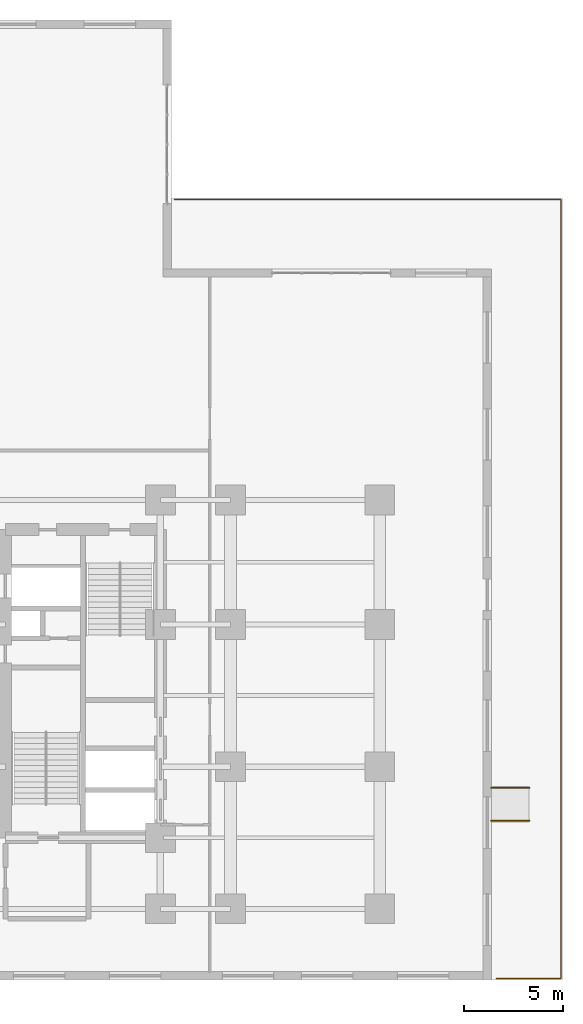
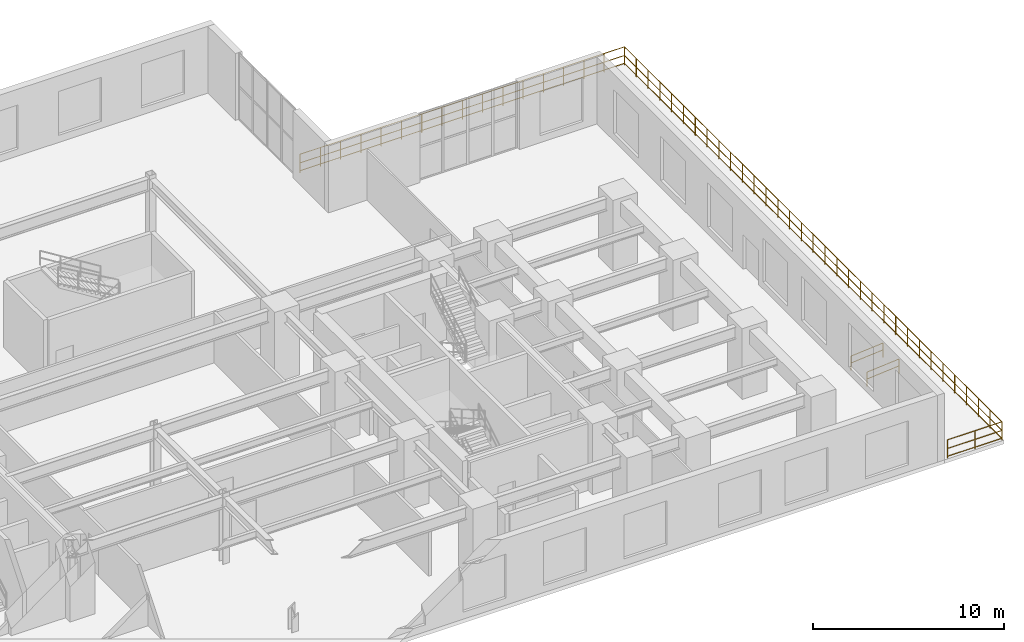
# One storey, part 15 of 15: 5 railings.
"""IFC4 building model written with IfcOpenShell, lengths in metres."""

from ifc_helpers import new_model, entity, si_unit, converted_unit, direction, frame, origin_with_axes, origin_2d_with_axis, place, context, subcontext, project, spatial, rectangle, circle, extrude, material, type_object, element, save


model = new_model("IFC4")

# Units and contexts
model_context = context("Model", 3, precision=1e-05, world=origin_with_axes(), true_north=direction((0.0, 1.0)))
body_context = subcontext(model_context, "Body", "Model", "MODEL_VIEW")
ifc_project = project(units=[si_unit("LENGTHUNIT", "METRE"), si_unit("AREAUNIT", "SQUARE_METRE"), si_unit("VOLUMEUNIT", "CUBIC_METRE"), converted_unit("PLANEANGLEUNIT", "DEGREE", entity("IfcPlaneAngleMeasure", 0.017453292519943295), si_unit("PLANEANGLEUNIT", "RADIAN"), dimensions=[0, 0, 0, 0, 0, 0, 0]), si_unit("MASSUNIT", "GRAM", prefix="KILO"), si_unit("THERMODYNAMICTEMPERATUREUNIT", "KELVIN")], contexts=[model_context])

# Site, building, storey
site_placement = place(None, origin_with_axes())
site = spatial("IfcSite", under=ifc_project, at=site_placement, CompositionType="ELEMENT")
building_placement = place(site_placement, origin_with_axes())
building = spatial("IfcBuilding", under=site, at=building_placement, Name="Varnlund Millrace Tower", CompositionType="ELEMENT")
storey_placement = place(building_placement, frame((0.0, 0.0, 19.8), z_axis=(0.0, 0.0, 1.0), x_axis=(1.0, 0.0, 0.0)))
storey = spatial("IfcBuildingStorey", under=building, at=storey_placement, Name="L04", CompositionType="ELEMENT", Elevation=19.8)

# Railings
ifc_material_1 = material(Name="Architectural bronze balustrade guard", Category="aluminium")
railing_type_1 = type_object("IfcRailingType", Name="Type-Guard-Perimeter-1150", PredefinedType="BALUSTRADE", material=ifc_material_1)
railing_1_placement = place(storey_placement, frame((0.0, 0.0, -19.8), z_axis=(0.0, 0.0, 1.0), x_axis=(1.0, 0.0, 0.0)))
element("IfcRailing", 1, at=railing_1_placement, inside=storey, type_object=railing_type_1, Name="Type-Guard-Perimeter-1150", PredefinedType="BALUSTRADE", context=body_context, shape_type="SweptSolid", body=[
    extrude(circle(Radius=0.024, at=origin_2d_with_axis()), frame((68.32, 0.08, 20.95), z_axis=(0.0, 1.0, 0.0), x_axis=(-1.0, 0.0, 0.0)), (0.0, 0.0, 1.0), 39.44),
    extrude(circle(Radius=0.024, at=origin_2d_with_axis()), frame((68.32, 0.08, 19.9), z_axis=(0.0, 1.0, 0.0), x_axis=(-1.0, 0.0, 0.0)), (0.0, 0.0, 1.0), 39.44),
    extrude(circle(Radius=0.024, at=origin_2d_with_axis()), frame((68.32, 0.08, 20.398), z_axis=(0.0, 1.0, 0.0), x_axis=(-1.0, 0.0, 0.0)), (0.0, 0.0, 1.0), 39.44),
    extrude(rectangle(XDim=0.04, YDim=0.04, at=origin_2d_with_axis()), frame((68.32, 0.08, 19.76), z_axis=(0.0, 0.0, 1.0), x_axis=(1.0, 0.0, 0.0)), (0.0, 0.0, 1.0), 1.19),
    extrude(rectangle(XDim=0.04, YDim=0.04, at=origin_2d_with_axis()), frame((68.32, 1.3125, 19.76), z_axis=(0.0, 0.0, 1.0), x_axis=(1.0, 0.0, 0.0)), (0.0, 0.0, 1.0), 1.19),
    extrude(rectangle(XDim=0.04, YDim=0.04, at=origin_2d_with_axis()), frame((68.32, 2.545, 19.76), z_axis=(0.0, 0.0, 1.0), x_axis=(1.0, 0.0, 0.0)), (0.0, 0.0, 1.0), 1.19),
    extrude(rectangle(XDim=0.04, YDim=0.04, at=origin_2d_with_axis()), frame((68.32, 3.7775, 19.76), z_axis=(0.0, 0.0, 1.0), x_axis=(1.0, 0.0, 0.0)), (0.0, 0.0, 1.0), 1.19),
    extrude(rectangle(XDim=0.04, YDim=0.04, at=origin_2d_with_axis()), frame((68.32, 5.01, 19.76), z_axis=(0.0, 0.0, 1.0), x_axis=(1.0, 0.0, 0.0)), (0.0, 0.0, 1.0), 1.19),
    extrude(rectangle(XDim=0.04, YDim=0.04, at=origin_2d_with_axis()), frame((68.32, 6.2425, 19.76), z_axis=(0.0, 0.0, 1.0), x_axis=(1.0, 0.0, 0.0)), (0.0, 0.0, 1.0), 1.19),
    extrude(rectangle(XDim=0.04, YDim=0.04, at=origin_2d_with_axis()), frame((68.32, 7.475, 19.76), z_axis=(0.0, 0.0, 1.0), x_axis=(1.0, 0.0, 0.0)), (0.0, 0.0, 1.0), 1.19),
    extrude(rectangle(XDim=0.04, YDim=0.04, at=origin_2d_with_axis()), frame((68.32, 8.7075, 19.76), z_axis=(0.0, 0.0, 1.0), x_axis=(1.0, 0.0, 0.0)), (0.0, 0.0, 1.0), 1.19),
    extrude(rectangle(XDim=0.04, YDim=0.04, at=origin_2d_with_axis()), frame((68.32, 9.94, 19.76), z_axis=(0.0, 0.0, 1.0), x_axis=(1.0, 0.0, 0.0)), (0.0, 0.0, 1.0), 1.19),
    extrude(rectangle(XDim=0.04, YDim=0.04, at=origin_2d_with_axis()), frame((68.32, 11.1725, 19.76), z_axis=(0.0, 0.0, 1.0), x_axis=(1.0, 0.0, 0.0)), (0.0, 0.0, 1.0), 1.19),
    extrude(rectangle(XDim=0.04, YDim=0.04, at=origin_2d_with_axis()), frame((68.32, 12.405, 19.76), z_axis=(0.0, 0.0, 1.0), x_axis=(1.0, 0.0, 0.0)), (0.0, 0.0, 1.0), 1.19),
    extrude(rectangle(XDim=0.04, YDim=0.04, at=origin_2d_with_axis()), frame((68.32, 13.6375, 19.76), z_axis=(0.0, 0.0, 1.0), x_axis=(1.0, 0.0, 0.0)), (0.0, 0.0, 1.0), 1.19),
    extrude(rectangle(XDim=0.04, YDim=0.04, at=origin_2d_with_axis()), frame((68.32, 14.87, 19.76), z_axis=(0.0, 0.0, 1.0), x_axis=(1.0, 0.0, 0.0)), (0.0, 0.0, 1.0), 1.19),
    extrude(rectangle(XDim=0.04, YDim=0.04, at=origin_2d_with_axis()), frame((68.32, 16.1025, 19.76), z_axis=(0.0, 0.0, 1.0), x_axis=(1.0, 0.0, 0.0)), (0.0, 0.0, 1.0), 1.19),
    extrude(rectangle(XDim=0.04, YDim=0.04, at=origin_2d_with_axis()), frame((68.32, 17.335, 19.76), z_axis=(0.0, 0.0, 1.0), x_axis=(1.0, 0.0, 0.0)), (0.0, 0.0, 1.0), 1.19),
    extrude(rectangle(XDim=0.04, YDim=0.04, at=origin_2d_with_axis()), frame((68.32, 18.5675, 19.76), z_axis=(0.0, 0.0, 1.0), x_axis=(1.0, 0.0, 0.0)), (0.0, 0.0, 1.0), 1.19),
    extrude(rectangle(XDim=0.04, YDim=0.04, at=origin_2d_with_axis()), frame((68.32, 19.8, 19.76), z_axis=(0.0, 0.0, 1.0), x_axis=(1.0, 0.0, 0.0)), (0.0, 0.0, 1.0), 1.19),
    extrude(rectangle(XDim=0.04, YDim=0.04, at=origin_2d_with_axis()), frame((68.32, 21.0325, 19.76), z_axis=(0.0, 0.0, 1.0), x_axis=(1.0, 0.0, 0.0)), (0.0, 0.0, 1.0), 1.19),
    extrude(rectangle(XDim=0.04, YDim=0.04, at=origin_2d_with_axis()), frame((68.32, 22.265, 19.76), z_axis=(0.0, 0.0, 1.0), x_axis=(1.0, 0.0, 0.0)), (0.0, 0.0, 1.0), 1.19),
    extrude(rectangle(XDim=0.04, YDim=0.04, at=origin_2d_with_axis()), frame((68.32, 23.4975, 19.76), z_axis=(0.0, 0.0, 1.0), x_axis=(1.0, 0.0, 0.0)), (0.0, 0.0, 1.0), 1.19),
    extrude(rectangle(XDim=0.04, YDim=0.04, at=origin_2d_with_axis()), frame((68.32, 24.73, 19.76), z_axis=(0.0, 0.0, 1.0), x_axis=(1.0, 0.0, 0.0)), (0.0, 0.0, 1.0), 1.19),
    extrude(rectangle(XDim=0.04, YDim=0.04, at=origin_2d_with_axis()), frame((68.32, 25.9625, 19.76), z_axis=(0.0, 0.0, 1.0), x_axis=(1.0, 0.0, 0.0)), (0.0, 0.0, 1.0), 1.19),
    extrude(rectangle(XDim=0.04, YDim=0.04, at=origin_2d_with_axis()), frame((68.32, 27.195, 19.76), z_axis=(0.0, 0.0, 1.0), x_axis=(1.0, 0.0, 0.0)), (0.0, 0.0, 1.0), 1.19),
    extrude(rectangle(XDim=0.04, YDim=0.04, at=origin_2d_with_axis()), frame((68.32, 28.4275, 19.76), z_axis=(0.0, 0.0, 1.0), x_axis=(1.0, 0.0, 0.0)), (0.0, 0.0, 1.0), 1.19),
    extrude(rectangle(XDim=0.04, YDim=0.04, at=origin_2d_with_axis()), frame((68.32, 29.66, 19.76), z_axis=(0.0, 0.0, 1.0), x_axis=(1.0, 0.0, 0.0)), (0.0, 0.0, 1.0), 1.19),
    extrude(rectangle(XDim=0.04, YDim=0.04, at=origin_2d_with_axis()), frame((68.32, 30.8925, 19.76), z_axis=(0.0, 0.0, 1.0), x_axis=(1.0, 0.0, 0.0)), (0.0, 0.0, 1.0), 1.19),
    extrude(rectangle(XDim=0.04, YDim=0.04, at=origin_2d_with_axis()), frame((68.32, 32.125, 19.76), z_axis=(0.0, 0.0, 1.0), x_axis=(1.0, 0.0, 0.0)), (0.0, 0.0, 1.0), 1.19),
    extrude(rectangle(XDim=0.04, YDim=0.04, at=origin_2d_with_axis()), frame((68.32, 33.3575, 19.76), z_axis=(0.0, 0.0, 1.0), x_axis=(1.0, 0.0, 0.0)), (0.0, 0.0, 1.0), 1.19),
    extrude(rectangle(XDim=0.04, YDim=0.04, at=origin_2d_with_axis()), frame((68.32, 34.59, 19.76), z_axis=(0.0, 0.0, 1.0), x_axis=(1.0, 0.0, 0.0)), (0.0, 0.0, 1.0), 1.19),
    extrude(rectangle(XDim=0.04, YDim=0.04, at=origin_2d_with_axis()), frame((68.32, 35.8225, 19.76), z_axis=(0.0, 0.0, 1.0), x_axis=(1.0, 0.0, 0.0)), (0.0, 0.0, 1.0), 1.19),
    extrude(rectangle(XDim=0.04, YDim=0.04, at=origin_2d_with_axis()), frame((68.32, 37.055, 19.76), z_axis=(0.0, 0.0, 1.0), x_axis=(1.0, 0.0, 0.0)), (0.0, 0.0, 1.0), 1.19),
    extrude(rectangle(XDim=0.04, YDim=0.04, at=origin_2d_with_axis()), frame((68.32, 38.2875, 19.76), z_axis=(0.0, 0.0, 1.0), x_axis=(1.0, 0.0, 0.0)), (0.0, 0.0, 1.0), 1.19),
    extrude(rectangle(XDim=0.04, YDim=0.04, at=origin_2d_with_axis()), frame((68.32, 39.52, 19.76), z_axis=(0.0, 0.0, 1.0), x_axis=(1.0, 0.0, 0.0)), (0.0, 0.0, 1.0), 1.19),
])
railing_2_placement = place(storey_placement, frame((0.0, 0.0, -19.8), z_axis=(0.0, 0.0, 1.0), x_axis=(1.0, 0.0, 0.0)))
element("IfcRailing", 2, at=railing_2_placement, inside=storey, type_object=railing_type_1, Name="Type-Guard-Perimeter-1150", PredefinedType="BALUSTRADE", context=body_context, shape_type="SweptSolid", body=[
    extrude(circle(Radius=0.024, at=origin_2d_with_axis()), frame((68.32, 39.52, 20.95), z_axis=(-1.0, 0.0, 0.0), x_axis=(0.0, -1.0, 0.0)), (0.0, 0.0, 1.0), 19.57),
    extrude(circle(Radius=0.024, at=origin_2d_with_axis()), frame((68.32, 39.52, 19.9), z_axis=(-1.0, 0.0, 0.0), x_axis=(0.0, -1.0, 0.0)), (0.0, 0.0, 1.0), 19.57),
    extrude(circle(Radius=0.024, at=origin_2d_with_axis()), frame((68.32, 39.52, 20.398), z_axis=(-1.0, 0.0, 0.0), x_axis=(0.0, -1.0, 0.0)), (0.0, 0.0, 1.0), 19.57),
    extrude(rectangle(XDim=0.04, YDim=0.04, at=origin_2d_with_axis()), frame((68.32, 39.52, 19.76), z_axis=(0.0, 0.0, 1.0), x_axis=(1.0, 0.0, 0.0)), (0.0, 0.0, 1.0), 1.19),
    extrude(rectangle(XDim=0.04, YDim=0.04, at=origin_2d_with_axis()), frame((67.096875, 39.52, 19.76), z_axis=(0.0, 0.0, 1.0), x_axis=(1.0, 0.0, 0.0)), (0.0, 0.0, 1.0), 1.19),
    extrude(rectangle(XDim=0.04, YDim=0.04, at=origin_2d_with_axis()), frame((65.87375, 39.52, 19.76), z_axis=(0.0, 0.0, 1.0), x_axis=(1.0, 0.0, 0.0)), (0.0, 0.0, 1.0), 1.19),
    extrude(rectangle(XDim=0.04, YDim=0.04, at=origin_2d_with_axis()), frame((64.650625, 39.52, 19.76), z_axis=(0.0, 0.0, 1.0), x_axis=(1.0, 0.0, 0.0)), (0.0, 0.0, 1.0), 1.19),
    extrude(rectangle(XDim=0.04, YDim=0.04, at=origin_2d_with_axis()), frame((63.4275, 39.52, 19.76), z_axis=(0.0, 0.0, 1.0), x_axis=(1.0, 0.0, 0.0)), (0.0, 0.0, 1.0), 1.19),
    extrude(rectangle(XDim=0.04, YDim=0.04, at=origin_2d_with_axis()), frame((62.204375, 39.52, 19.76), z_axis=(0.0, 0.0, 1.0), x_axis=(1.0, 0.0, 0.0)), (0.0, 0.0, 1.0), 1.19),
    extrude(rectangle(XDim=0.04, YDim=0.04, at=origin_2d_with_axis()), frame((60.98125, 39.52, 19.76), z_axis=(0.0, 0.0, 1.0), x_axis=(1.0, 0.0, 0.0)), (0.0, 0.0, 1.0), 1.19),
    extrude(rectangle(XDim=0.04, YDim=0.04, at=origin_2d_with_axis()), frame((59.758125, 39.52, 19.76), z_axis=(0.0, 0.0, 1.0), x_axis=(1.0, 0.0, 0.0)), (0.0, 0.0, 1.0), 1.19),
    extrude(rectangle(XDim=0.04, YDim=0.04, at=origin_2d_with_axis()), frame((58.535, 39.52, 19.76), z_axis=(0.0, 0.0, 1.0), x_axis=(1.0, 0.0, 0.0)), (0.0, 0.0, 1.0), 1.19),
    extrude(rectangle(XDim=0.04, YDim=0.04, at=origin_2d_with_axis()), frame((57.311875, 39.52, 19.76), z_axis=(0.0, 0.0, 1.0), x_axis=(1.0, 0.0, 0.0)), (0.0, 0.0, 1.0), 1.19),
    extrude(rectangle(XDim=0.04, YDim=0.04, at=origin_2d_with_axis()), frame((56.08875, 39.52, 19.76), z_axis=(0.0, 0.0, 1.0), x_axis=(1.0, 0.0, 0.0)), (0.0, 0.0, 1.0), 1.19),
    extrude(rectangle(XDim=0.04, YDim=0.04, at=origin_2d_with_axis()), frame((54.865625, 39.52, 19.76), z_axis=(0.0, 0.0, 1.0), x_axis=(1.0, 0.0, 0.0)), (0.0, 0.0, 1.0), 1.19),
    extrude(rectangle(XDim=0.04, YDim=0.04, at=origin_2d_with_axis()), frame((53.6425, 39.52, 19.76), z_axis=(0.0, 0.0, 1.0), x_axis=(1.0, 0.0, 0.0)), (0.0, 0.0, 1.0), 1.19),
    extrude(rectangle(XDim=0.04, YDim=0.04, at=origin_2d_with_axis()), frame((52.419375, 39.52, 19.76), z_axis=(0.0, 0.0, 1.0), x_axis=(1.0, 0.0, 0.0)), (0.0, 0.0, 1.0), 1.19),
    extrude(rectangle(XDim=0.04, YDim=0.04, at=origin_2d_with_axis()), frame((51.19625, 39.52, 19.76), z_axis=(0.0, 0.0, 1.0), x_axis=(1.0, 0.0, 0.0)), (0.0, 0.0, 1.0), 1.19),
    extrude(rectangle(XDim=0.04, YDim=0.04, at=origin_2d_with_axis()), frame((49.973125, 39.52, 19.76), z_axis=(0.0, 0.0, 1.0), x_axis=(1.0, 0.0, 0.0)), (0.0, 0.0, 1.0), 1.19),
    extrude(rectangle(XDim=0.04, YDim=0.04, at=origin_2d_with_axis()), frame((48.75, 39.52, 19.76), z_axis=(0.0, 0.0, 1.0), x_axis=(1.0, 0.0, 0.0)), (0.0, 0.0, 1.0), 1.19),
])
railing_3_placement = place(storey_placement, frame((0.0, 0.0, -19.8), z_axis=(0.0, 0.0, 1.0), x_axis=(1.0, 0.0, 0.0)))
element("IfcRailing", 3, at=railing_3_placement, inside=storey, type_object=railing_type_1, Name="Type-Guard-Perimeter-1150", PredefinedType="BALUSTRADE", context=body_context, shape_type="SweptSolid", body=[
    extrude(circle(Radius=0.024, at=origin_2d_with_axis()), frame((65.05, 0.08, 20.95), z_axis=(1.0, 0.0, 0.0), x_axis=(0.0, 1.0, 0.0)), (0.0, 0.0, 1.0), 3.27),
    extrude(circle(Radius=0.024, at=origin_2d_with_axis()), frame((65.05, 0.08, 19.9), z_axis=(1.0, 0.0, 0.0), x_axis=(0.0, 1.0, 0.0)), (0.0, 0.0, 1.0), 3.27),
    extrude(circle(Radius=0.024, at=origin_2d_with_axis()), frame((65.05, 0.08, 20.398), z_axis=(1.0, 0.0, 0.0), x_axis=(0.0, 1.0, 0.0)), (0.0, 0.0, 1.0), 3.27),
    extrude(rectangle(XDim=0.04, YDim=0.04, at=origin_2d_with_axis()), frame((65.05, 0.08, 19.76), z_axis=(0.0, 0.0, 1.0), x_axis=(1.0, 0.0, 0.0)), (0.0, 0.0, 1.0), 1.19),
    extrude(rectangle(XDim=0.04, YDim=0.04, at=origin_2d_with_axis()), frame((66.685, 0.08, 19.76), z_axis=(0.0, 0.0, 1.0), x_axis=(1.0, 0.0, 0.0)), (0.0, 0.0, 1.0), 1.19),
    extrude(rectangle(XDim=0.04, YDim=0.04, at=origin_2d_with_axis()), frame((68.32, 0.08, 19.76), z_axis=(0.0, 0.0, 1.0), x_axis=(1.0, 0.0, 0.0)), (0.0, 0.0, 1.0), 1.19),
])
ifc_material_2 = material(Name="Brushed architectural bronze stair handrail", Category="aluminium")
railing_type_2 = type_object("IfcRailingType", Name="Type-StairHandrail-900", PredefinedType="HANDRAIL", material=ifc_material_2)
railing_4_placement = place(storey_placement, frame((0.0, 0.0, -19.8), z_axis=(0.0, 0.0, 1.0), x_axis=(1.0, 0.0, 0.0)))
element("IfcRailing", 4, at=railing_4_placement, inside=storey, type_object=railing_type_2, Name="Type-StairHandrail-900", PredefinedType="HANDRAIL", context=body_context, shape_type="SweptSolid", body=[
    extrude(circle(Radius=0.024, at=origin_2d_with_axis()), frame((64.8, 8.06, 20.516083), z_axis=(0.996546, 0.0, 0.083045), x_axis=(0.0, 1.0, 0.0)), (0.0, 0.0, 1.0), 1.926655),
    extrude(circle(Radius=0.024, at=origin_2d_with_axis()), frame((64.8, 8.06, 20.078041), z_axis=(0.996546, 0.0, 0.083045), x_axis=(0.0, 1.0, 0.0)), (0.0, 0.0, 1.0), 1.926655),
    extrude(rectangle(XDim=0.04, YDim=0.04, at=origin_2d_with_axis()), frame((64.8, 8.06, 19.6), z_axis=(0.0, 0.0, 1.0), x_axis=(1.0, 0.0, 0.0)), (0.0, 0.0, 1.0), 0.916083),
    extrude(rectangle(XDim=0.04, YDim=0.04, at=origin_2d_with_axis()), frame((66.72, 8.06, 19.76), z_axis=(0.0, 0.0, 1.0), x_axis=(1.0, 0.0, 0.0)), (0.0, 0.0, 1.0), 0.916083),
])
railing_5_placement = place(storey_placement, frame((0.0, 0.0, -19.8), z_axis=(0.0, 0.0, 1.0), x_axis=(1.0, 0.0, 0.0)))
element("IfcRailing", 5, at=railing_5_placement, inside=storey, type_object=railing_type_2, Name="Type-StairHandrail-900", PredefinedType="HANDRAIL", context=body_context, shape_type="SweptSolid", body=[
    extrude(circle(Radius=0.024, at=origin_2d_with_axis()), frame((64.8, 9.74, 20.516083), z_axis=(0.996546, 0.0, 0.083045), x_axis=(0.0, 1.0, 0.0)), (0.0, 0.0, 1.0), 1.926655),
    extrude(circle(Radius=0.024, at=origin_2d_with_axis()), frame((64.8, 9.74, 20.078041), z_axis=(0.996546, 0.0, 0.083045), x_axis=(0.0, 1.0, 0.0)), (0.0, 0.0, 1.0), 1.926655),
    extrude(rectangle(XDim=0.04, YDim=0.04, at=origin_2d_with_axis()), frame((64.8, 9.74, 19.6), z_axis=(0.0, 0.0, 1.0), x_axis=(1.0, 0.0, 0.0)), (0.0, 0.0, 1.0), 0.916083),
    extrude(rectangle(XDim=0.04, YDim=0.04, at=origin_2d_with_axis()), frame((66.72, 9.74, 19.76), z_axis=(0.0, 0.0, 1.0), x_axis=(1.0, 0.0, 0.0)), (0.0, 0.0, 1.0), 0.916083),
])

save(model, "model.ifc")
